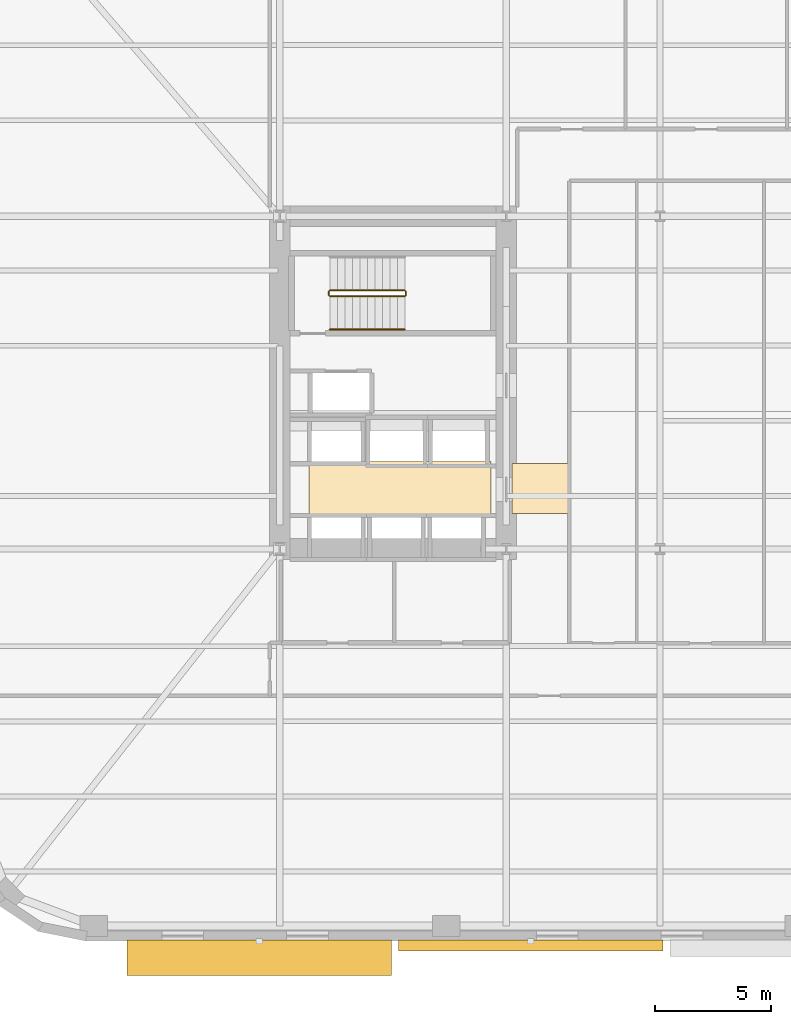
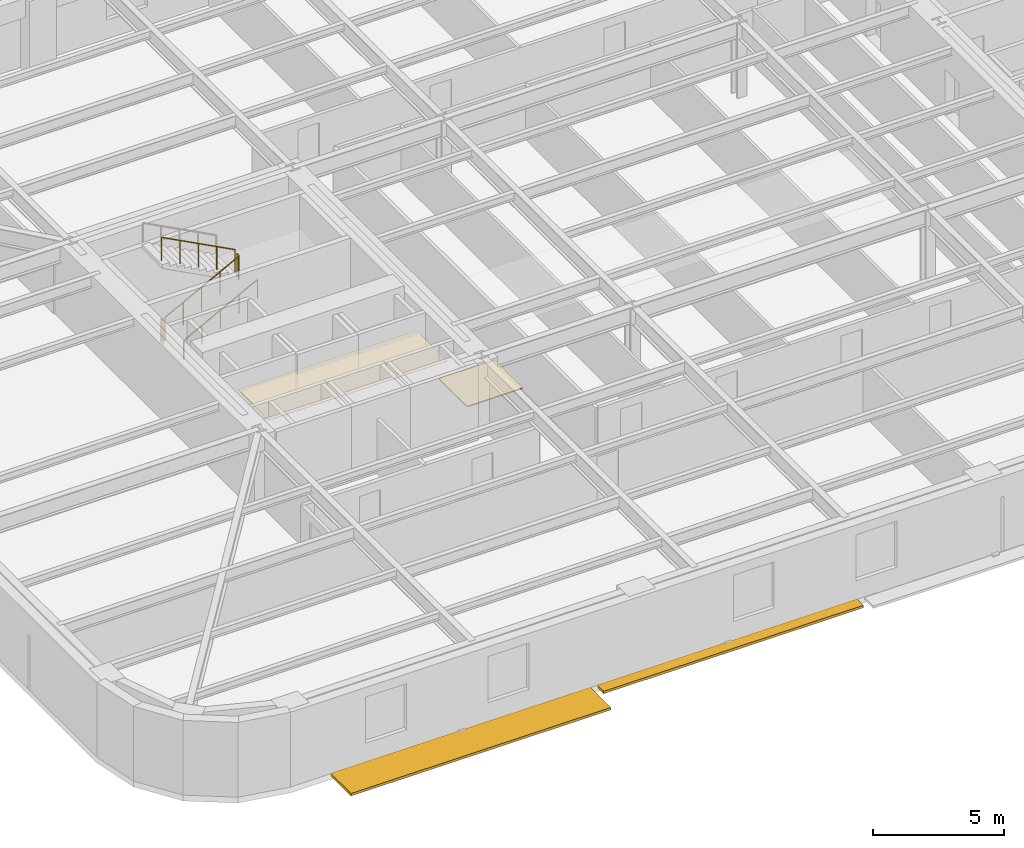
# One storey, part 9 of 14: 5 railings, 2 coverings, 2 shading devices.
"""IFC4 building model written with IfcOpenShell, lengths in metres."""

from ifc_helpers import new_model, si_unit, direction, frame, origin, origin_2d, place, context, subcontext, project, spatial, polyline, rectangle, circle, outline, extrude, material, layer, layer_set, type_object, element, save


model = new_model("IFC4")

# Units and contexts
model_context = context("Model", 3, precision=1e-05, world=origin(), true_north=direction((0.0, 1.0)))
body_context = subcontext(model_context, "Body", "Model", "MODEL_VIEW")
ifc_project = project(units=[si_unit("LENGTHUNIT", "METRE"), si_unit("AREAUNIT", "SQUARE_METRE"), si_unit("VOLUMEUNIT", "CUBIC_METRE"), si_unit("PLANEANGLEUNIT", "RADIAN"), si_unit("MASSUNIT", "GRAM", prefix="KILO")], contexts=[model_context])

# Site, building, storey
site_placement = place(None, origin())
site = spatial("IfcSite", under=ifc_project, at=site_placement, CompositionType="ELEMENT")
building_placement = place(site_placement, origin())
building = spatial("IfcBuilding", under=site, at=building_placement, Name="Kolvaren Arena Tower", CompositionType="ELEMENT")
storey_placement = place(building_placement, frame((0.0, 0.0, 75.75)))
storey = spatial("IfcBuildingStorey", under=building, at=storey_placement, Name="L16", CompositionType="ELEMENT", Elevation=75.75)

# Coverings
ifc_material_1 = material(Name="Moisture-resistant gypsum ceiling", Category="gypsum")
ifc_layer_1 = layer(ifc_material_1, 0.030029296875)
ifc_layer_set_1 = layer_set([ifc_layer_1], Name="Moisture-resistant gypsum ceiling")
covering_type_1 = type_object("IfcCoveringType", Name="CEIL-GYP-1", PredefinedType="CEILING", material=ifc_layer_set_1)
covering_1_placement = place(storey_placement, frame((0.0, 0.0, 2.52001953125)))
element("IfcCovering", 1, at=covering_1_placement, inside=storey, type_object=covering_type_1, Name="Suspended Ceiling (L16)", PredefinedType="CEILING", context=body_context, shape_type="SweptSolid", body=[
    extrude(outline(polyline([(15.820068359375, 20.89990234375), (15.820068359375, 23.239990234375), (23.679931640625, 23.239990234375), (23.679931640625, 20.89990234375), (15.820068359375, 20.89990234375)])), origin(), (0.0, 0.0, 1.0), 0.030029296875),
])
ifc_material_2 = material(Name="Raised access office floor finish", Category="aluminium")
ifc_layer_2 = layer(ifc_material_2, 0.044921875)
ifc_layer_set_2 = layer_set([ifc_layer_2], Name="Raised access office floor finish")
covering_type_2 = type_object("IfcCoveringType", Name="FLOR-RAF-1", PredefinedType="FLOORING", material=ifc_layer_set_2)
covering_2_placement = place(storey_placement, origin())
element("IfcCovering", 2, at=covering_2_placement, inside=storey, type_object=covering_type_2, Name="Floor Finish (L16)", PredefinedType="FLOORING", context=body_context, shape_type="SweptSolid", body=[
    extrude(outline(polyline([(24.60009765625, 21.0), (24.60009765625, 23.14990234375), (27.080078125, 23.14990234375), (27.080078125, 21.0), (24.60009765625, 21.0)])), origin(), (0.0, 0.0, 1.0), 0.044921875),
])

# Railings
ifc_material_3 = material(Name="Painted galvanized steel", Category="steel")
railing_type_1 = type_object("IfcRailingType", Name="GUARD-ST-110", PredefinedType="GUARDRAIL", material=ifc_material_3)
railing_1_placement = place(storey_placement, frame((16.719970703125, 30.389892578125, 0.17041015625)))
element("IfcRailing", 3, at=railing_1_placement, inside=storey, type_object=railing_type_1, Name="L16 ST-W1 stair guard 1", PredefinedType="GUARDRAIL", context=body_context, shape_type="SweptSolid", body=[
    extrude(circle(Radius=0.02392578125, at=origin_2d()), frame((0.0, 0.0, 1.076171875), z_axis=(0.884993431791, 0.0, 0.465603506952), x_axis=(0.0, 1.0, 0.0)), (0.0, 0.0, 1.0), 3.6611328125),
    extrude(circle(Radius=0.02099609375, at=origin_2d()), origin(), (0.0, 0.0, 1.0), 1.052001953125),
    extrude(circle(Radius=0.02099609375, at=origin_2d()), frame((0.81005859375, 0.0, 0.42626953125)), (0.0, 0.0, 1.0), 1.052001953125),
    extrude(circle(Radius=0.02099609375, at=origin_2d()), frame((1.6201171875, 0.0, 0.852294921875)), (0.0, 0.0, 1.0), 1.052001953125),
    extrude(circle(Radius=0.02099609375, at=origin_2d()), frame((2.429931640625, 0.0, 1.2783203125)), (0.0, 0.0, 1.0), 1.052001953125),
    extrude(circle(Radius=0.02099609375, at=origin_2d()), frame((3.239990234375, 0.0, 1.70458984375)), (0.0, 0.0, 1.0), 1.052001953125),
])
railing_2_placement = place(storey_placement, frame((20.010009765625, 30.43994140625, 1.875)))
element("IfcRailing", 4, at=railing_2_placement, inside=storey, type_object=railing_type_1, Name="L16 ST-W1 stair guard 2", PredefinedType="GUARDRAIL", context=body_context, shape_type="SweptSolid", body=[
    extrude(circle(Radius=0.02392578125, at=origin_2d()), frame((0.0, 0.0, 1.076171875), z_axis=(0.0, 1.0, 0.0), x_axis=(-1.0, 0.0, 0.0)), (0.0, 0.0, 1.0), 0.150146484375),
    extrude(circle(Radius=0.02099609375, at=origin_2d()), origin(), (0.0, 0.0, 1.0), 1.052001953125),
    extrude(circle(Radius=0.02099609375, at=origin_2d()), frame((0.0, 0.150146484375, 0.0)), (0.0, 0.0, 1.0), 1.052001953125),
])
railing_3_placement = place(storey_placement, frame((19.9599609375, 30.639892578125, 2.04541015625)))
element("IfcRailing", 5, at=railing_3_placement, inside=storey, type_object=railing_type_1, Name="L16 ST-W1 stair guard 3", PredefinedType="GUARDRAIL", context=body_context, shape_type="SweptSolid", body=[
    extrude(circle(Radius=0.02392578125, at=origin_2d()), frame((0.0, 0.0, 1.076171875), z_axis=(-0.884993431791, 0.0, 0.465603506952), x_axis=(0.0, -1.0, 0.0)), (0.0, 0.0, 1.0), 3.6611328125),
    extrude(circle(Radius=0.02099609375, at=origin_2d()), origin(), (0.0, 0.0, 1.0), 1.052001953125),
    extrude(circle(Radius=0.02099609375, at=origin_2d()), frame((-0.81005859375, 0.0, 0.42626953125)), (0.0, 0.0, 1.0), 1.052001953125),
    extrude(circle(Radius=0.02099609375, at=origin_2d()), frame((-1.6201171875, 0.0, 0.852294921875)), (0.0, 0.0, 1.0), 1.052001953125),
    extrude(circle(Radius=0.02099609375, at=origin_2d()), frame((-2.429931640625, 0.0, 1.2783203125)), (0.0, 0.0, 1.0), 1.052001953125),
    extrude(circle(Radius=0.02099609375, at=origin_2d()), frame((-3.239990234375, 0.0, 1.70458984375)), (0.0, 0.0, 1.0), 1.052001953125),
])
railing_4_placement = place(storey_placement, frame((16.669921875, 30.43994140625, 0.0)))
element("IfcRailing", 6, at=railing_4_placement, inside=storey, type_object=railing_type_1, Name="L16 ST-W1 stair guard 4", PredefinedType="GUARDRAIL", context=body_context, shape_type="SweptSolid", body=[
    extrude(circle(Radius=0.02392578125, at=origin_2d()), frame((0.0, 0.0, 1.076171875), z_axis=(0.0, 1.0, 0.0), x_axis=(-1.0, 0.0, 0.0)), (0.0, 0.0, 1.0), 0.150146484375),
    extrude(circle(Radius=0.02099609375, at=origin_2d()), origin(), (0.0, 0.0, 1.0), 1.052001953125),
    extrude(circle(Radius=0.02099609375, at=origin_2d()), frame((0.0, 0.150146484375, 0.0)), (0.0, 0.0, 1.0), 1.052001953125),
])
ifc_material_4 = material(Name="Brushed stainless steel handrail", Category="steel")
railing_type_2 = type_object("IfcRailingType", Name="HRAIL-900", PredefinedType="HANDRAIL", material=ifc_material_4)
railing_5_placement = place(storey_placement, frame((16.719970703125, 28.949951171875, 0.17041015625)))
element("IfcRailing", 7, at=railing_5_placement, inside=storey, type_object=railing_type_2, Name="L16 ST-W1 stair handrail 1", PredefinedType="HANDRAIL", context=body_context, shape_type="SweptSolid", body=[
    extrude(circle(Radius=0.02392578125, at=origin_2d()), frame((0.0, 0.0, 0.8759765625), z_axis=(0.884993431791, 0.0, 0.465603506952), x_axis=(0.0, 1.0, 0.0)), (0.0, 0.0, 1.0), 3.6611328125),
    extrude(circle(Radius=0.02099609375, at=origin_2d()), origin(), (0.0, 0.0, 1.0), 0.851806640625),
    extrude(circle(Radius=0.02099609375, at=origin_2d()), frame((0.81005859375, 0.0, 0.42626953125)), (0.0, 0.0, 1.0), 0.851806640625),
    extrude(circle(Radius=0.02099609375, at=origin_2d()), frame((1.6201171875, 0.0, 0.852294921875)), (0.0, 0.0, 1.0), 0.851806640625),
    extrude(circle(Radius=0.02099609375, at=origin_2d()), frame((2.429931640625, 0.0, 1.2783203125)), (0.0, 0.0, 1.0), 0.851806640625),
    extrude(circle(Radius=0.02099609375, at=origin_2d()), frame((3.239990234375, 0.0, 1.70458984375)), (0.0, 0.0, 1.0), 0.851806640625),
])

# Shading devices
ifc_material_5 = material(Name="Architectural precast GFRC and anodised aluminium sunshade", Category="concrete")
shading_device_type_1 = type_object("IfcShadingDeviceType", Name="SHAD-SINE-A", PredefinedType="USERDEFINED", material=ifc_material_5)
shading_device_1_placement = place(storey_placement, frame((25.409912109375, 2.30908203125, -0.14013671875), z_axis=(0.0, 0.0, 1.0), x_axis=(-1.0, 0.0, 0.0)))
element("IfcShadingDevice", 8, at=shading_device_1_placement, inside=storey, type_object=shading_device_type_1, Name="Sinusoidal Slab-Edge Sunshade Louvre (L16)", ObjectType="LOUVRE", PredefinedType="USERDEFINED", context=body_context, shape_type="SweptSolid", body=[
    extrude(rectangle(XDim=11.43994140625, YDim=0.481689453125, at=origin_2d()), origin(), (0.0, 0.0, 1.0), 0.1201171875),
])
shading_device_type_2 = type_object("IfcShadingDeviceType", Name="SHAD-SINE-B", PredefinedType="JALOUSIE", material=ifc_material_5)
shading_device_2_placement = place(storey_placement, frame((13.669921875, 1.77490234375, -0.14013671875), z_axis=(0.0, 0.0, 1.0), x_axis=(-1.0, 0.0, 0.0)))
element("IfcShadingDevice", 9, at=shading_device_2_placement, inside=storey, type_object=shading_device_type_2, Name="Sinusoidal Slab-Edge Sunshade Louvre (L16)", PredefinedType="JALOUSIE", context=body_context, shape_type="SweptSolid", body=[
    extrude(rectangle(XDim=11.43994140625, YDim=1.55029296875, at=origin_2d()), origin(), (0.0, 0.0, 1.0), 0.1201171875),
])

save(model, "model.ifc")
